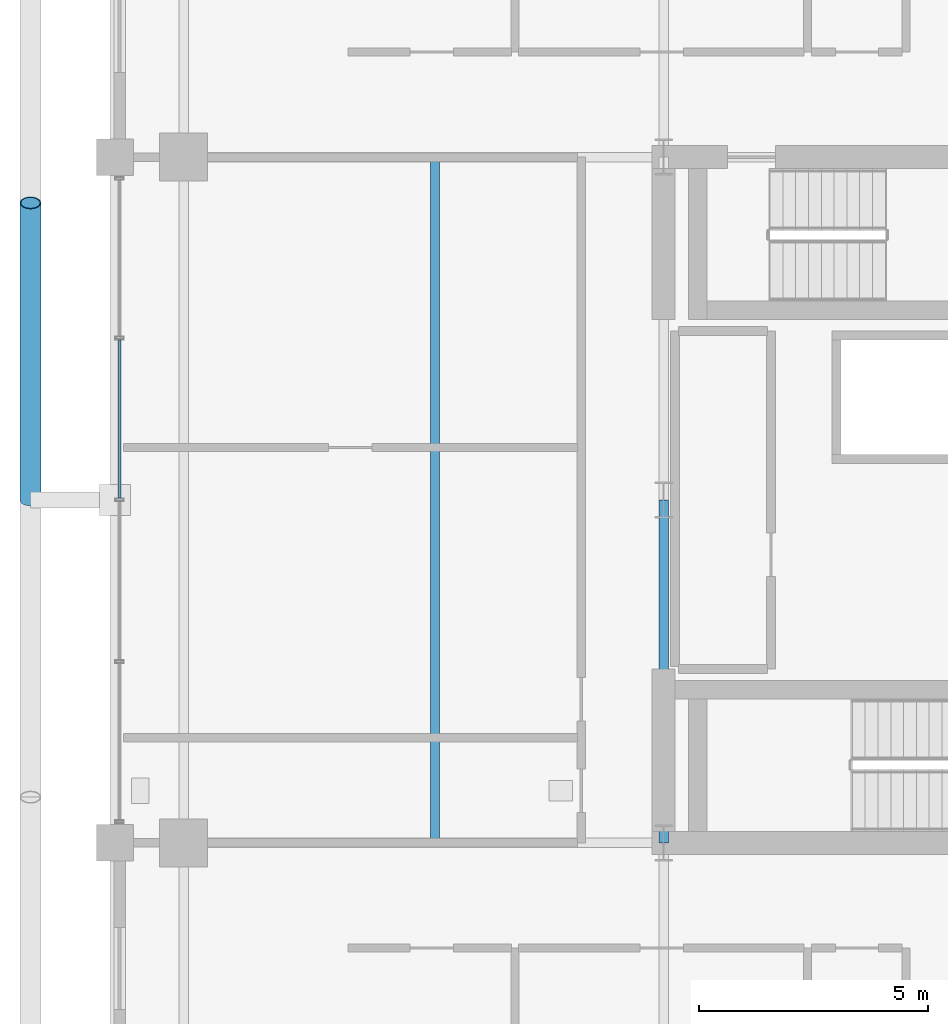
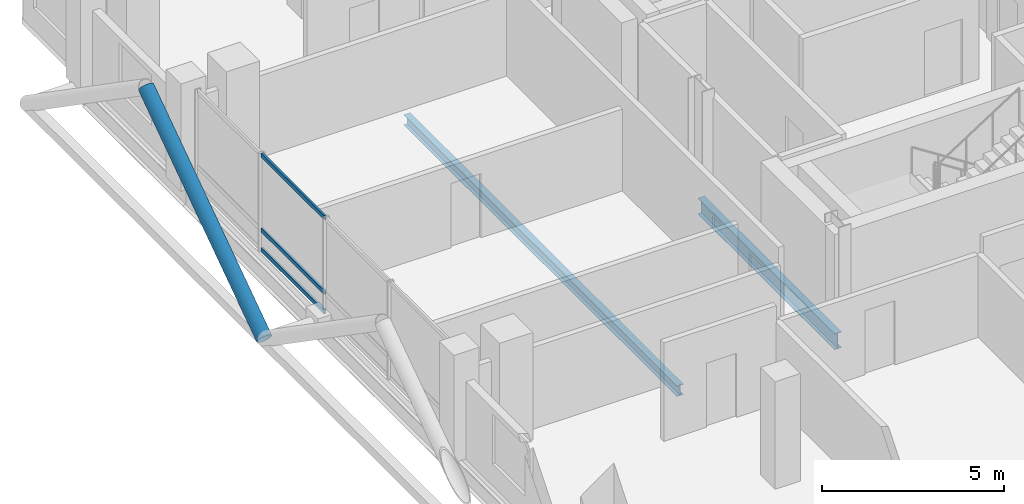
# One storey, part 8 of 25: 4 members, 2 beams, 1 element without a shape of its own.
"""IFC4 building model written with IfcOpenShell, lengths in metres."""

from ifc_helpers import new_model, si_unit, direction, frame, origin, origin_2d, place, context, subcontext, project, spatial, hollow_rectangle, hollow_circle, i_section, extrude, material, layer, layer_set, material_profile, profile_set, type_object, element, aggregate, save


model = new_model("IFC4")

# Units and contexts
model_context = context("Model", 3, precision=1e-05, world=origin(), true_north=direction((0.0, 1.0)))
body_context = subcontext(model_context, "Body", "Model", "MODEL_VIEW")
ifc_project = project(units=[si_unit("LENGTHUNIT", "METRE"), si_unit("AREAUNIT", "SQUARE_METRE"), si_unit("VOLUMEUNIT", "CUBIC_METRE"), si_unit("PLANEANGLEUNIT", "RADIAN"), si_unit("MASSUNIT", "GRAM", prefix="KILO")], contexts=[model_context])

# Site, building, storey
site_placement = place(None, origin())
site = spatial("IfcSite", under=ifc_project, at=site_placement, CompositionType="ELEMENT")
building_placement = place(site_placement, origin())
building = spatial("IfcBuilding", under=site, at=building_placement, Name="Barlavira Tower and Art Museum", CompositionType="ELEMENT")
storey_placement = place(building_placement, frame((0.0, 0.0, 208.800048828125)))
storey = spatial("IfcBuildingStorey", under=building, at=storey_placement, Name="L54", CompositionType="ELEMENT", Elevation=208.800048828125)

# Curtain wall, members
ifc_material_1 = material(Name="Low-iron coastal laminated glass", Category="glass")
ifc_layer = layer(ifc_material_1, 0.199951171875, Name="Low-iron coastal laminated glass")
ifc_layer_set = layer_set([ifc_layer], Name="Low-iron coastal laminated glass")
curtain_wall_type = type_object("IfcCurtainWallType", Name="Pale-Metal Unitised Curtain Wall Zone 3", PredefinedType="NOTDEFINED", material=ifc_layer_set)
curtain_wall_placement = place(storey_placement, origin())
curtain_wall = element("IfcCurtainWall", 1, at=curtain_wall_placement, inside=storey, type_object=curtain_wall_type, Name="L54 Curtain Wall CW3-L54-W-B3", PredefinedType="NOTDEFINED")
ifc_material_2 = material(Name="Pale anodised aluminium", Category="aluminium")
ifc_material_profile_1 = material_profile(ifc_material_2, hollow_rectangle(XDim=0.06494140625, YDim=0.139892578125, WallThickness=0.00390625, at=origin_2d()), Name="ALU-TRAN 65x140x4")
ifc_profile_set_1 = profile_set([ifc_material_profile_1], Name="Pale anodised aluminium")
member_type_1 = type_object("IfcMemberType", Name="Curtain Wall Pale-Metal Transom 65x140", PredefinedType="USERDEFINED", material=ifc_profile_set_1)
member_1_placement = place(storey_placement, frame((-18.39990234375, 3.4951171875, 0.070068359375), z_axis=(0.0, -1.0, 0.0), x_axis=(1.0, 0.0, 0.0)))
member_1 = element("IfcMember", 2, at=member_1_placement, type_object=member_type_1, Name="CW3-L54-W-B3 Transom 1.1", ObjectType="TRANSOM", PredefinedType="USERDEFINED", context=body_context, shape_type="SweptSolid", body=[
    extrude(hollow_rectangle(XDim=0.06494140625, YDim=0.139892578125, WallThickness=0.00390625, at=origin_2d()), origin(), (0.0, 0.0, 1.0), 3.4501953125),
])
member_2_placement = place(storey_placement, frame((-18.39990234375, 3.4951171875, 0.725830078125), z_axis=(0.0, -1.0, 0.0), x_axis=(1.0, 0.0, 0.0)))
member_2 = element("IfcMember", 3, at=member_2_placement, type_object=member_type_1, Name="CW3-L54-W-B3 Transom 1.2", ObjectType="TRANSOM", PredefinedType="USERDEFINED", context=body_context, shape_type="SweptSolid", body=[
    extrude(hollow_rectangle(XDim=0.06494140625, YDim=0.139892578125, WallThickness=0.00390625, at=origin_2d()), origin(), (0.0, 0.0, 1.0), 3.4501953125),
])
member_3_placement = place(storey_placement, frame((-18.39990234375, 3.4951171875, 3.22998046875), z_axis=(0.0, -1.0, 0.0), x_axis=(1.0, 0.0, 0.0)))
member_3 = element("IfcMember", 4, at=member_3_placement, type_object=member_type_1, Name="CW3-L54-W-B3 Transom 1.3", ObjectType="TRANSOM", PredefinedType="USERDEFINED", context=body_context, shape_type="SweptSolid", body=[
    extrude(hollow_rectangle(XDim=0.06494140625, YDim=0.139892578125, WallThickness=0.00390625, at=origin_2d()), origin(), (0.0, 0.0, 1.0), 3.4501953125),
])
aggregate(curtain_wall, [member_1, member_2, member_3])

# Member
ifc_material_3 = material(Name="Steel S355", Category="steel")
ifc_material_profile_2 = material_profile(ifc_material_3, hollow_circle(Radius=0.228515625, WallThickness=0.02001953125, at=origin_2d()), Name="CHS 457.0x20.0")
ifc_profile_set_2 = profile_set([ifc_material_profile_2], Name="Steel S355")
member_type_2 = type_object("IfcMemberType", Name="Pale-Metal Exoskeleton Diagrid Tube CHS 457x20 Steel S355", PredefinedType="BRACE", material=ifc_profile_set_2)
member_4_placement = place(storey_placement, frame((-20.35009765625, 0.0, -0.1201171875), z_axis=(0.0, 0.822192191644, 0.56920997883), x_axis=(-1.0, 0.0, 0.0)))
element("IfcMember", 5, at=member_4_placement, inside=storey, type_object=member_type_2, Name="L54 Exoskeleton Diagrid Tube W", PredefinedType="BRACE", context=body_context, shape_type="SweptSolid", body=[
    extrude(hollow_circle(Radius=0.228515625, WallThickness=0.02001953125, at=origin_2d()), origin(), (0.0, 0.0, 1.0), 7.90576171875),
])

# Beams
ifc_material_profile_3 = material_profile(ifc_material_3, i_section(OverallWidth=0.205078125, OverallDepth=0.35400390625, WebThickness=0.009521484375, FlangeThickness=0.016845703125, at=origin_2d()), Name="W360x79.0")
ifc_profile_set_3 = profile_set([ifc_material_profile_3], Name="Steel S355")
beam_type_1 = type_object("IfcBeamType", Name="Zone 3 Composite Floor Joist W360x79 Steel S355", PredefinedType="JOIST", material=ifc_profile_set_3)
beam_1_placement = place(storey_placement, frame((-11.5, -7.5, -0.39697265625), z_axis=(0.0, 1.0, 0.0), x_axis=(-1.0, 0.0, 0.0)))
element("IfcBeam", 6, at=beam_1_placement, inside=storey, type_object=beam_type_1, Name="L54 Joist W1", PredefinedType="JOIST", context=body_context, shape_type="SweptSolid", body=[
    extrude(i_section(OverallWidth=0.205078125, OverallDepth=0.35400390625, WebThickness=0.009521484375, FlangeThickness=0.016845703125, at=origin_2d()), origin(), (0.0, 0.0, 1.0), 15.0),
])
ifc_material_profile_4 = material_profile(ifc_material_3, i_section(OverallWidth=0.2109375, OverallDepth=0.5390625, WebThickness=0.01171875, FlangeThickness=0.018798828125, at=origin_2d()), Name="W530x109.0")
ifc_profile_set_4 = profile_set([ifc_material_profile_4], Name="Steel S355")
beam_type_2 = type_object("IfcBeamType", Name="Zone 3-4 Primary Floor Girder W530x109 Steel S355", PredefinedType="BEAM", material=ifc_profile_set_4)
beam_2_placement = place(storey_placement, frame((-6.5, -7.5, -0.489501953125), z_axis=(0.0, 1.0, 0.0), x_axis=(-1.0, 0.0, 0.0)))
element("IfcBeam", 7, at=beam_2_placement, inside=storey, type_object=beam_type_2, Name="L54 Girder C-W1", PredefinedType="BEAM", context=body_context, shape_type="SweptSolid", body=[
    extrude(i_section(OverallWidth=0.2109375, OverallDepth=0.5390625, WebThickness=0.01171875, FlangeThickness=0.018798828125, at=origin_2d()), origin(), (0.0, 0.0, 1.0), 7.5),
])

save(model, "model.ifc")
